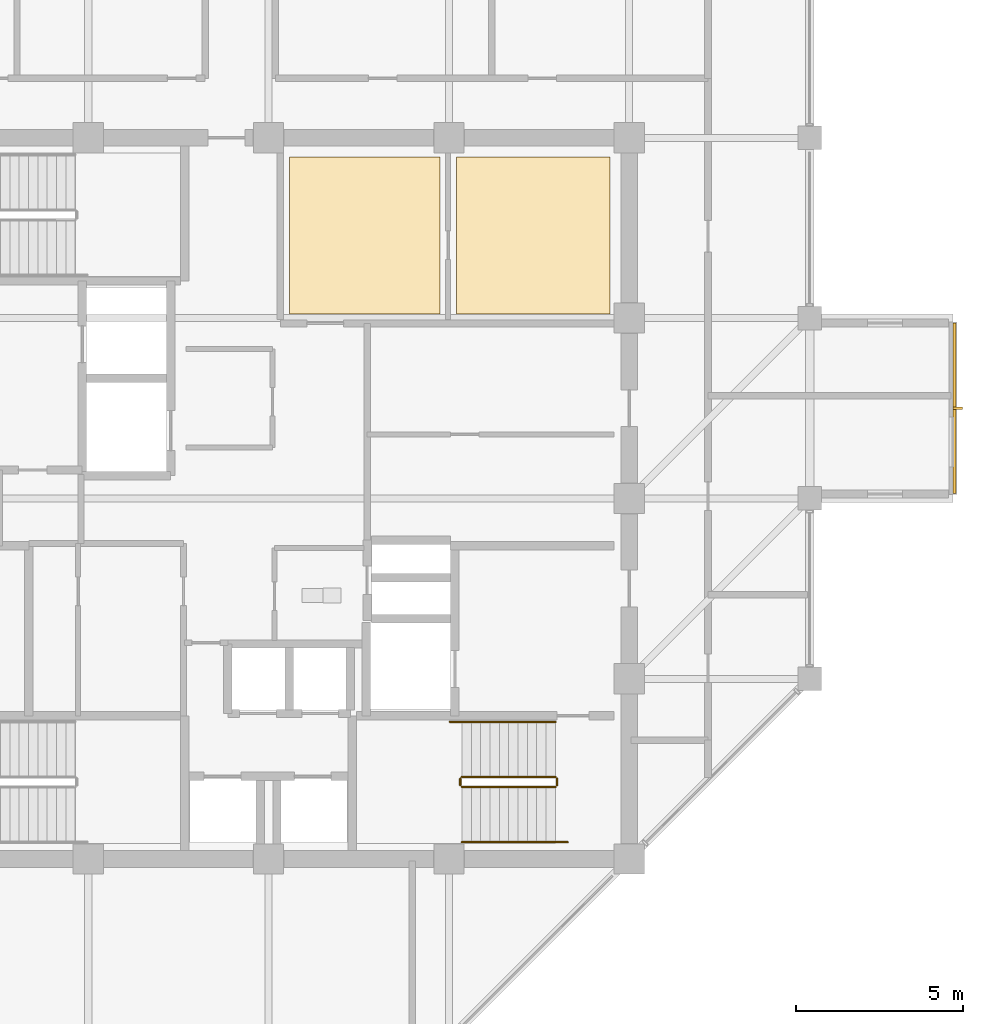
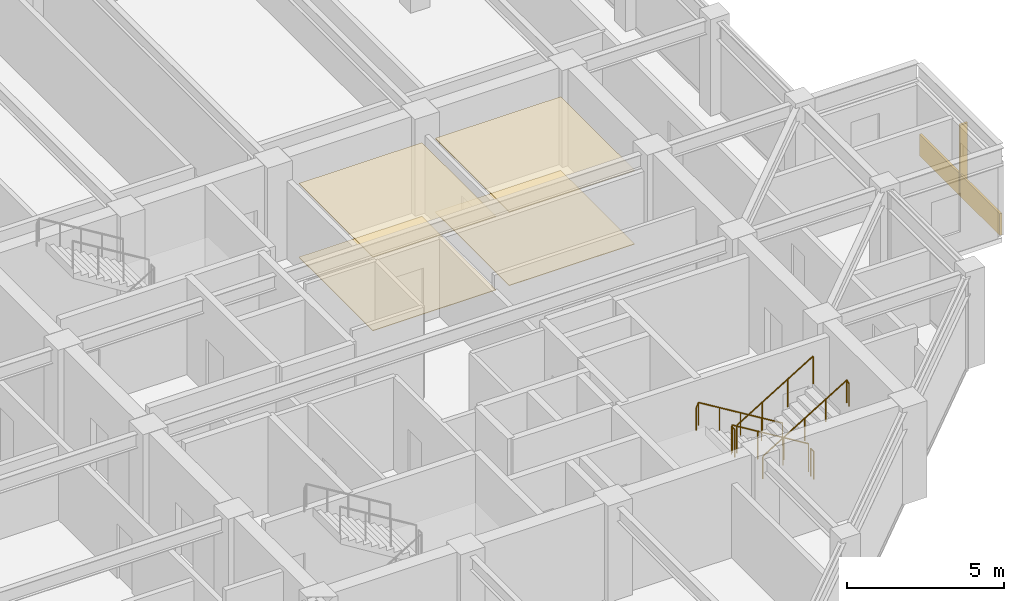
# One storey, part 29 of 30: 6 railings, 5 coverings, 1 shading device.
"""IFC4 building model written with IfcOpenShell, lengths in metres."""

from ifc_helpers import new_model, si_unit, direction, frame, origin, origin_2d, place, context, subcontext, project, spatial, polyline, rectangle, circle, outline, extrude, material, layer, layer_set, type_object, element, save


model = new_model("IFC4")

# Units and contexts
model_context = context("Model", 3, precision=1e-05, world=origin(), true_north=direction((0.0, 1.0)))
body_context = subcontext(model_context, "Body", "Model", "MODEL_VIEW")
ifc_project = project(units=[si_unit("LENGTHUNIT", "METRE"), si_unit("AREAUNIT", "SQUARE_METRE"), si_unit("VOLUMEUNIT", "CUBIC_METRE"), si_unit("PLANEANGLEUNIT", "RADIAN"), si_unit("MASSUNIT", "GRAM", prefix="KILO")], contexts=[model_context])

# Site, building, storey
site_placement = place(None, origin())
site = spatial("IfcSite", under=ifc_project, at=site_placement, CompositionType="ELEMENT")
building_placement = place(site_placement, origin())
building = spatial("IfcBuilding", under=site, at=building_placement, Name="Surkhivell Harbour Commons", CompositionType="ELEMENT")
storey_placement = place(building_placement, frame((0.0, 0.0, 307.5)))
storey = spatial("IfcBuildingStorey", under=building, at=storey_placement, Name="L80", CompositionType="ELEMENT", Elevation=307.5)

# Coverings
ifc_material_1 = material(Name="Perforated acoustic mineral-fibre ceiling tile", Category="other")
ifc_layer_1 = layer(ifc_material_1, 0.02490234375)
ifc_layer_set_1 = layer_set([ifc_layer_1], Name="Perforated acoustic mineral-fibre ceiling tile")
covering_type_1 = type_object("IfcCoveringType", Name="COV-CEIL-AC", PredefinedType="CEILING", material=ifc_layer_set_1)
covering_1_placement = place(storey_placement, frame((0.0, 0.0, 2.85205078125)))
element("IfcCovering", 1, at=covering_1_placement, inside=storey, type_object=covering_type_1, Name="L80 Suspended Acoustic Ceiling 1", PredefinedType="CEILING", context=body_context, shape_type="SweptSolid", body=[
    extrude(outline(polyline([(0.6201171875, 5.52001953125), (5.1298828125, 5.52001953125), (5.1298828125, 10.219970703125), (0.6201171875, 10.219970703125), (0.6201171875, 5.52001953125)])), origin(), (0.0, 0.0, 1.0), 0.02490234375),
])
ifc_material_2 = material(Name="Moisture-resistant gypsum acoustic ceiling board", Category="other")
ifc_layer_2 = layer(ifc_material_2, 0.030029296875)
ifc_layer_set_2 = layer_set([ifc_layer_2], Name="Moisture-resistant gypsum acoustic ceiling board")
covering_type_2 = type_object("IfcCoveringType", Name="COV-CEIL-GYP", PredefinedType="CEILING", material=ifc_layer_set_2)
covering_2_placement = place(storey_placement, frame((0.0, 0.0, 2.846923828125)))
element("IfcCovering", 2, at=covering_2_placement, inside=storey, type_object=covering_type_2, Name="L80 Suspended Acoustic Ceiling 2", PredefinedType="CEILING", context=body_context, shape_type="SweptSolid", body=[
    extrude(outline(polyline([(5.6201171875, 5.52001953125), (10.219970703125, 5.52001953125), (10.219970703125, 10.219970703125), (5.6201171875, 10.219970703125), (5.6201171875, 5.52001953125)])), origin(), (0.0, 0.0, 1.0), 0.030029296875),
])
ifc_material_3 = material(Name="Vermilion-coral enamelled aluminium cassette panel", Category="aluminium")
ifc_layer_3 = layer(ifc_material_3, 0.074951171875)
ifc_layer_set_3 = layer_set([ifc_layer_3], Name="Vermilion-coral enamelled aluminium cassette panel")
covering_type_3 = type_object("IfcCoveringType", Name="COV-CLAD-VER", PredefinedType="CLADDING", material=ifc_layer_set_3)
covering_3_placement = place(storey_placement, frame((20.5400390625, 2.699951171875, 0.0), z_axis=(0.0, 0.0, 1.0), x_axis=(1.0, 0.0, 0.0)))
element("IfcCovering", 3, at=covering_3_placement, inside=storey, type_object=covering_type_3, Name="L80 Coloured-Panel Box Spandrel Cassette 01", PredefinedType="CLADDING", context=body_context, shape_type="SweptSolid", body=[
    extrude(rectangle(XDim=0.080078125, YDim=5.10009765625, at=origin_2d()), origin(), (0.0, 0.0, 1.0), 0.840087890625),
])
ifc_material_4 = material(Name="Engineered acoustic oak timber flooring", Category="wood")
ifc_layer_4 = layer(ifc_material_4, 0.02001953125)
ifc_layer_set_4 = layer_set([ifc_layer_4], Name="Engineered acoustic oak timber flooring")
covering_type_4 = type_object("IfcCoveringType", Name="COV-FLR-TIM", PredefinedType="FLOORING", material=ifc_layer_set_4)
covering_4_placement = place(storey_placement, origin())
element("IfcCovering", 4, at=covering_4_placement, inside=storey, type_object=covering_type_4, Name="L80 Interior Floor Finish 1", PredefinedType="FLOORING", context=body_context, shape_type="SweptSolid", body=[
    extrude(outline(polyline([(0.6201171875, 5.52001953125), (5.1298828125, 5.52001953125), (5.1298828125, 10.219970703125), (0.6201171875, 10.219970703125), (0.6201171875, 5.52001953125)])), origin(), (0.0, 0.0, 1.0), 0.02001953125),
])
covering_5_placement = place(storey_placement, origin())
element("IfcCovering", 5, at=covering_5_placement, inside=storey, type_object=covering_type_4, Name="L80 Interior Floor Finish 2", PredefinedType="FLOORING", context=body_context, shape_type="SweptSolid", body=[
    extrude(outline(polyline([(5.6201171875, 5.52001953125), (10.219970703125, 5.52001953125), (10.219970703125, 10.219970703125), (5.6201171875, 10.219970703125), (5.6201171875, 5.52001953125)])), origin(), (0.0, 0.0, 1.0), 0.02001953125),
])

# Railings
ifc_material_5 = material(Name="Galvanised and painted steel S355 guard rail", Category="steel")
railing_type_1 = type_object("IfcRailingType", Name="RAL-ST-GRD1100", PredefinedType="GUARDRAIL", material=ifc_material_5)
railing_1_placement = place(storey_placement, frame((8.590087890625, -8.340087890625, 0.17041015625)))
element("IfcRailing", 6, at=railing_1_placement, inside=storey, type_object=railing_type_1, Name="L80 ST2 stair guard 1", PredefinedType="GUARDRAIL", context=body_context, shape_type="SweptSolid", body=[
    extrude(circle(Radius=0.02392578125, at=origin_2d()), frame((0.0, 0.0, 1.076171875), z_axis=(-0.854169791009, 0.0, 0.51999420009), x_axis=(0.0, -1.0, 0.0)), (0.0, 0.0, 1.0), 3.278076171875),
    extrude(circle(Radius=0.02099609375, at=origin_2d()), origin(), (0.0, 0.0, 1.0), 1.052001953125),
    extrude(circle(Radius=0.02099609375, at=origin_2d()), frame((-0.933349609375, 0.0, 0.568115234375)), (0.0, 0.0, 1.0), 1.052001953125),
    extrude(circle(Radius=0.02099609375, at=origin_2d()), frame((-1.86669921875, 0.0, 1.136474609375)), (0.0, 0.0, 1.0), 1.052001953125),
    extrude(circle(Radius=0.02099609375, at=origin_2d()), frame((-2.800048828125, 0.0, 1.70458984375)), (0.0, 0.0, 1.0), 1.052001953125),
])
railing_2_placement = place(storey_placement, frame((5.739990234375, -8.389892578125, 1.875)))
element("IfcRailing", 7, at=railing_2_placement, inside=storey, type_object=railing_type_1, Name="L80 ST2 stair guard 2", PredefinedType="GUARDRAIL", context=body_context, shape_type="SweptSolid", body=[
    extrude(circle(Radius=0.02392578125, at=origin_2d()), frame((0.0, 0.0, 1.076171875), z_axis=(0.0, -1.0, 0.0), x_axis=(1.0, 0.0, 0.0)), (0.0, 0.0, 1.0), 0.2001953125),
    extrude(circle(Radius=0.02099609375, at=origin_2d()), origin(), (0.0, 0.0, 1.0), 1.052001953125),
    extrude(circle(Radius=0.02099609375, at=origin_2d()), frame((0.0, -0.2001953125, 0.0)), (0.0, 0.0, 1.0), 1.052001953125),
])
railing_3_placement = place(storey_placement, frame((5.7900390625, -8.639892578125, 2.04541015625)))
element("IfcRailing", 8, at=railing_3_placement, inside=storey, type_object=railing_type_1, Name="L80 ST2 stair guard 3", PredefinedType="GUARDRAIL", context=body_context, shape_type="SweptSolid", body=[
    extrude(circle(Radius=0.02392578125, at=origin_2d()), frame((0.0, 0.0, 1.076171875), z_axis=(0.854169791009, 0.0, 0.51999420009), x_axis=(0.0, 1.0, 0.0)), (0.0, 0.0, 1.0), 3.278076171875),
    extrude(circle(Radius=0.02099609375, at=origin_2d()), origin(), (0.0, 0.0, 1.0), 1.052001953125),
    extrude(circle(Radius=0.02099609375, at=origin_2d()), frame((0.933349609375, 0.0, 0.568115234375)), (0.0, 0.0, 1.0), 1.052001953125),
    extrude(circle(Radius=0.02099609375, at=origin_2d()), frame((1.86669921875, 0.0, 1.136474609375)), (0.0, 0.0, 1.0), 1.052001953125),
    extrude(circle(Radius=0.02099609375, at=origin_2d()), frame((2.800048828125, 0.0, 1.70458984375)), (0.0, 0.0, 1.0), 1.052001953125),
])
railing_4_placement = place(storey_placement, frame((8.639892578125, -8.389892578125, 0.0)))
element("IfcRailing", 9, at=railing_4_placement, inside=storey, type_object=railing_type_1, Name="L80 ST2 stair guard 4", PredefinedType="GUARDRAIL", context=body_context, shape_type="SweptSolid", body=[
    extrude(circle(Radius=0.02392578125, at=origin_2d()), frame((0.0, 0.0, 1.076171875), z_axis=(0.0, -1.0, 0.0), x_axis=(1.0, 0.0, 0.0)), (0.0, 0.0, 1.0), 0.2001953125),
    extrude(circle(Radius=0.02099609375, at=origin_2d()), origin(), (0.0, 0.0, 1.0), 1.052001953125),
    extrude(circle(Radius=0.02099609375, at=origin_2d()), frame((0.0, -0.2001953125, 0.0)), (0.0, 0.0, 1.0), 1.052001953125),
])
ifc_material_6 = material(Name="Brushed stainless steel S355 handrail", Category="steel")
railing_type_2 = type_object("IfcRailingType", Name="RAL-ST-HND900", PredefinedType="HANDRAIL", material=ifc_material_6)
railing_5_placement = place(storey_placement, frame((8.590087890625, -6.68994140625, 0.17041015625)))
element("IfcRailing", 10, at=railing_5_placement, inside=storey, type_object=railing_type_2, Name="L80 ST2 stair handrail 1", PredefinedType="HANDRAIL", context=body_context, shape_type="SweptSolid", body=[
    extrude(circle(Radius=0.02392578125, at=origin_2d()), frame((0.0, 0.0, 0.8759765625), z_axis=(-0.854177636135, 0.0, 0.519981313056), x_axis=(0.0, -1.0, 0.0)), (0.0, 0.0, 1.0), 3.60595703125),
    extrude(circle(Radius=0.02392578125, at=origin_2d()), frame((-3.080078125, 0.0, 2.7509765625), z_axis=(-0.425297416671, 0.0, -0.905053648892), x_axis=(0.0, -1.0, 0.0)), (0.0, 0.0, 1.0), 0.188232421875),
    extrude(circle(Radius=0.02099609375, at=origin_2d()), origin(), (0.0, 0.0, 1.0), 0.851806640625),
    extrude(circle(Radius=0.02099609375, at=origin_2d()), frame((-0.77001953125, 0.0, 0.46875)), (0.0, 0.0, 1.0), 0.851806640625),
    extrude(circle(Radius=0.02099609375, at=origin_2d()), frame((-1.5400390625, 0.0, 0.9375)), (0.0, 0.0, 1.0), 0.851806640625),
    extrude(circle(Radius=0.02099609375, at=origin_2d()), frame((-2.31005859375, 0.0, 1.40625)), (0.0, 0.0, 1.0), 0.851806640625),
    extrude(circle(Radius=0.02099609375, at=origin_2d()), frame((-3.080078125, 0.0, 1.875)), (0.0, 0.0, 1.0), 0.851806640625),
    extrude(circle(Radius=0.02099609375, at=origin_2d()), frame((-3.16015625, 0.0, 1.70458984375)), (0.0, 0.0, 1.0), 0.851806640625),
])
railing_6_placement = place(storey_placement, frame((5.7900390625, -10.2900390625, 2.04541015625)))
element("IfcRailing", 11, at=railing_6_placement, inside=storey, type_object=railing_type_2, Name="L80 ST2 stair handrail 2", PredefinedType="HANDRAIL", context=body_context, shape_type="SweptSolid", body=[
    extrude(circle(Radius=0.02392578125, at=origin_2d()), frame((0.0, 0.0, 0.8759765625), z_axis=(0.854177636135, 0.0, 0.519981313056), x_axis=(0.0, 1.0, 0.0)), (0.0, 0.0, 1.0), 3.60595703125),
    extrude(circle(Radius=0.02392578125, at=origin_2d()), frame((3.080078125, 0.0, 2.7509765625), z_axis=(0.424234432967, 0.0, -0.905552398199), x_axis=(0.0, 1.0, 0.0)), (0.0, 0.0, 1.0), 0.188232421875),
    extrude(circle(Radius=0.02099609375, at=origin_2d()), origin(), (0.0, 0.0, 1.0), 0.851806640625),
    extrude(circle(Radius=0.02099609375, at=origin_2d()), frame((0.77001953125, 0.0, 0.46875)), (0.0, 0.0, 1.0), 0.851806640625),
    extrude(circle(Radius=0.02099609375, at=origin_2d()), frame((1.5400390625, 0.0, 0.9375)), (0.0, 0.0, 1.0), 0.851806640625),
    extrude(circle(Radius=0.02099609375, at=origin_2d()), frame((2.31005859375, 0.0, 1.40625)), (0.0, 0.0, 1.0), 0.851806640625),
    extrude(circle(Radius=0.02099609375, at=origin_2d()), frame((3.080078125, 0.0, 1.875)), (0.0, 0.0, 1.0), 0.851806640625),
    extrude(circle(Radius=0.02099609375, at=origin_2d()), frame((3.159912109375, 0.0, 1.70458984375)), (0.0, 0.0, 1.0), 0.851806640625),
])

# Shading device
ifc_material_7 = material(Name="Champagne anodised aluminium solar fin", Category="aluminium")
shading_device_type = type_object("IfcShadingDeviceType", Name="SHD-FIN-SLIM", PredefinedType="USERDEFINED", material=ifc_material_7)
shading_device_placement = place(storey_placement, frame((20.639892578125, 2.699951171875, 0.0048828125), z_axis=(0.0, 0.0, 1.0), x_axis=(1.0, 0.0, 0.0)))
element("IfcShadingDevice", 12, at=shading_device_placement, inside=storey, type_object=shading_device_type, Name="L80 Coloured-Box Solar Fin 01", ObjectType="FIN", PredefinedType="USERDEFINED", context=body_context, shape_type="SweptSolid", body=[
    extrude(rectangle(XDim=0.280029296875, YDim=0.080078125, at=origin_2d()), origin(), (0.0, 0.0, 1.0), 2.75),
])

save(model, "model.ifc")
